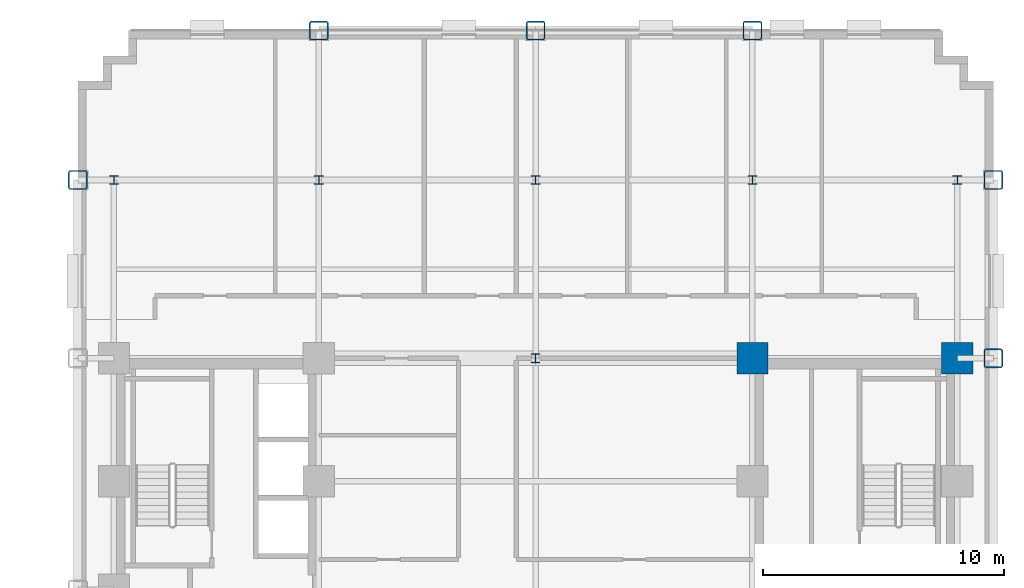
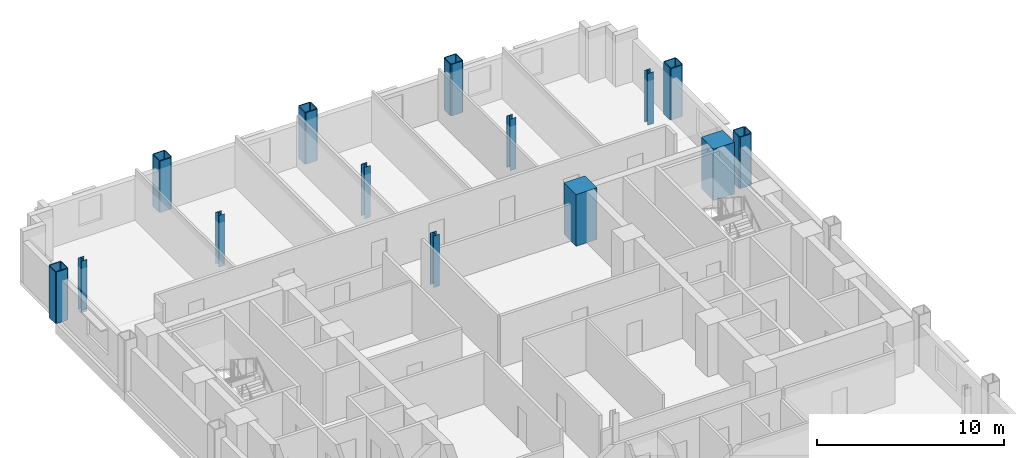
# One storey, part 2 of 12: 14 columns.
"""IFC4 building model written with IfcOpenShell, lengths in metres."""

from ifc_helpers import new_model, si_unit, direction, frame, origin, origin_2d, place, context, subcontext, project, spatial, rectangle, hollow_rectangle, i_section, extrude, material, material_profile, profile_set, type_object, element, save


model = new_model("IFC4")

# Units and contexts
model_context = context("Model", 3, precision=1e-05, world=origin(), true_north=direction((0.0, 1.0)))
body_context = subcontext(model_context, "Body", "Model", "MODEL_VIEW")
ifc_project = project(units=[si_unit("LENGTHUNIT", "METRE"), si_unit("AREAUNIT", "SQUARE_METRE"), si_unit("VOLUMEUNIT", "CUBIC_METRE"), si_unit("PLANEANGLEUNIT", "RADIAN"), si_unit("MASSUNIT", "GRAM", prefix="KILO")], contexts=[model_context])

# Site, building, storey
site_placement = place(None, origin())
site = spatial("IfcSite", under=ifc_project, at=site_placement, CompositionType="ELEMENT")
building_placement = place(site_placement, origin())
building = spatial("IfcBuilding", under=site, at=building_placement, Name="Nuvemarco Arch Tower", CompositionType="ELEMENT")
storey_placement = place(building_placement, frame((0.0, 0.0, 38.550048828125)))
storey = spatial("IfcBuildingStorey", under=building, at=storey_placement, Name="L09", CompositionType="ELEMENT", Elevation=38.550048828125)

# Columns
ifc_material_1 = material(Name="Concrete C60/75", Category="concrete")
ifc_material_profile_1 = material_profile(ifc_material_1, rectangle(XDim=1.300048828125, YDim=1.300048828125, at=origin_2d()), Name="RC-COL-1300x1300")
ifc_profile_set_1 = profile_set([ifc_material_profile_1], Name="Concrete C60/75")
column_type_1 = type_object("IfcColumnType", Name="COL-CORE-1300", PredefinedType="COLUMN", material=ifc_profile_set_1)
for number, where, z_axis, x_axis, name in (
    (1, (9.0, 9.60009765625, 0.0), (0.0, 0.0, 1.0), (1.0, 0.0, 0.0), "L09 column CC_+9.0_+9.6"),
    (2, (17.5, 9.60009765625, 0.0), (0.0, 0.0, 1.0), (1.0, 0.0, 0.0), "L09 column CC_+17.5_+9.6"),
):
    element("IfcColumn", number, at=place(storey_placement, frame(where, z_axis=z_axis, x_axis=x_axis)), inside=storey, type_object=column_type_1, Name=name, PredefinedType="COLUMN", context=body_context, shape_type="SweptSolid", body=[
        extrude(rectangle(XDim=1.300048828125, YDim=1.300048828125, at=origin_2d()), origin(), (0.0, 0.0, 1.0), 3.369873046875),
    ])
ifc_material_2 = material(Name="Steel S460", Category="steel")
ifc_material_profile_2 = material_profile(ifc_material_2, hollow_rectangle(XDim=0.800048828125, YDim=0.800048828125, WallThickness=0.054931640625, InnerFilletRadius=0.054931640625, OuterFilletRadius=0.110107421875, at=origin_2d()), Name="SHS800x800x55")
ifc_profile_set_2 = profile_set([ifc_material_profile_2], Name="Steel S460")
column_type_2 = type_object("IfcColumnType", Name="COL-EXO-800", PredefinedType="COLUMN", material=ifc_profile_set_2)
for number, where, z_axis, x_axis, name in (
    (3, (-19.0, 17.0, 0.0), (0.0, 0.0, 1.0), (1.0, 0.0, 0.0), "L09 column CX_-19.0_+17.0"),
    (4, (19.0, 9.60009765625, 0.0), (0.0, 0.0, 1.0), (1.0, 0.0, 0.0), "L09 column CX_+19.0_+9.6"),
    (5, (19.0, 17.0, 0.0), (0.0, 0.0, 1.0), (1.0, 0.0, 0.0), "L09 column CX_+19.0_+17.0"),
    (6, (-9.0, 23.199951171875, 0.0), (0.0, 0.0, 1.0), (1.0, 0.0, 0.0), "L09 column CY_-9.0_+23.2"),
    (7, (0.0, 23.199951171875, 0.0), (0.0, 0.0, 1.0), (1.0, 0.0, 0.0), "L09 column CY_+0.0_+23.2"),
    (8, (9.0, 23.199951171875, 0.0), (0.0, 0.0, 1.0), (1.0, 0.0, 0.0), "L09 column CY_+9.0_+23.2"),
):
    element("IfcColumn", number, at=place(storey_placement, frame(where, z_axis=z_axis, x_axis=x_axis)), inside=storey, type_object=column_type_2, Name=name, PredefinedType="COLUMN", context=body_context, shape_type="SweptSolid", body=[
        extrude(hollow_rectangle(XDim=0.800048828125, YDim=0.800048828125, WallThickness=0.054931640625, InnerFilletRadius=0.054931640625, OuterFilletRadius=0.110107421875, at=origin_2d()), origin(), (0.0, 0.0, 1.0), 3.369873046875),
    ])
ifc_material_3 = material(Name="Steel S355", Category="steel")
ifc_material_profile_3 = material_profile(ifc_material_3, i_section(OverallWidth=0.360107421875, OverallDepth=0.360107421875, WebThickness=0.0205078125, FlangeThickness=0.0205078125, FilletRadius=0.01806640625, at=origin_2d()), Name="HP360x174")
ifc_profile_set_3 = profile_set([ifc_material_profile_3], Name="Steel S355")
column_type_3 = type_object("IfcColumnType", Name="COL-STL-HP360", PredefinedType="COLUMN", material=ifc_profile_set_3)
for number, where, z_axis, x_axis, name in (
    (9, (0.0, 9.60009765625, 0.0), (0.0, 0.0, 1.0), (1.0, 0.0, 0.0), "L09 column CI_+0.0_+9.6"),
    (10, (0.0, 17.0, 0.0), (0.0, 0.0, 1.0), (1.0, 0.0, 0.0), "L09 column CI_+0.0_+17.0"),
    (11, (-17.5, 17.0, 0.0), (0.0, 0.0, 1.0), (1.0, 0.0, 0.0), "L09 column CI_-17.5_+17.0"),
    (12, (-9.0, 17.0, 0.0), (0.0, 0.0, 1.0), (1.0, 0.0, 0.0), "L09 column CI_-9.0_+17.0"),
    (13, (9.0, 17.0, 0.0), (0.0, 0.0, 1.0), (1.0, 0.0, 0.0), "L09 column CI_+9.0_+17.0"),
    (14, (17.5, 17.0, 0.0), (0.0, 0.0, 1.0), (1.0, 0.0, 0.0), "L09 column CI_+17.5_+17.0"),
):
    element("IfcColumn", number, at=place(storey_placement, frame(where, z_axis=z_axis, x_axis=x_axis)), inside=storey, type_object=column_type_3, Name=name, PredefinedType="COLUMN", context=body_context, shape_type="SweptSolid", body=[
        extrude(i_section(OverallWidth=0.360107421875, OverallDepth=0.360107421875, WebThickness=0.0205078125, FlangeThickness=0.0205078125, FilletRadius=0.01806640625, at=origin_2d()), origin(), (0.0, 0.0, 1.0), 3.369873046875),
    ])

save(model, "model.ifc")
